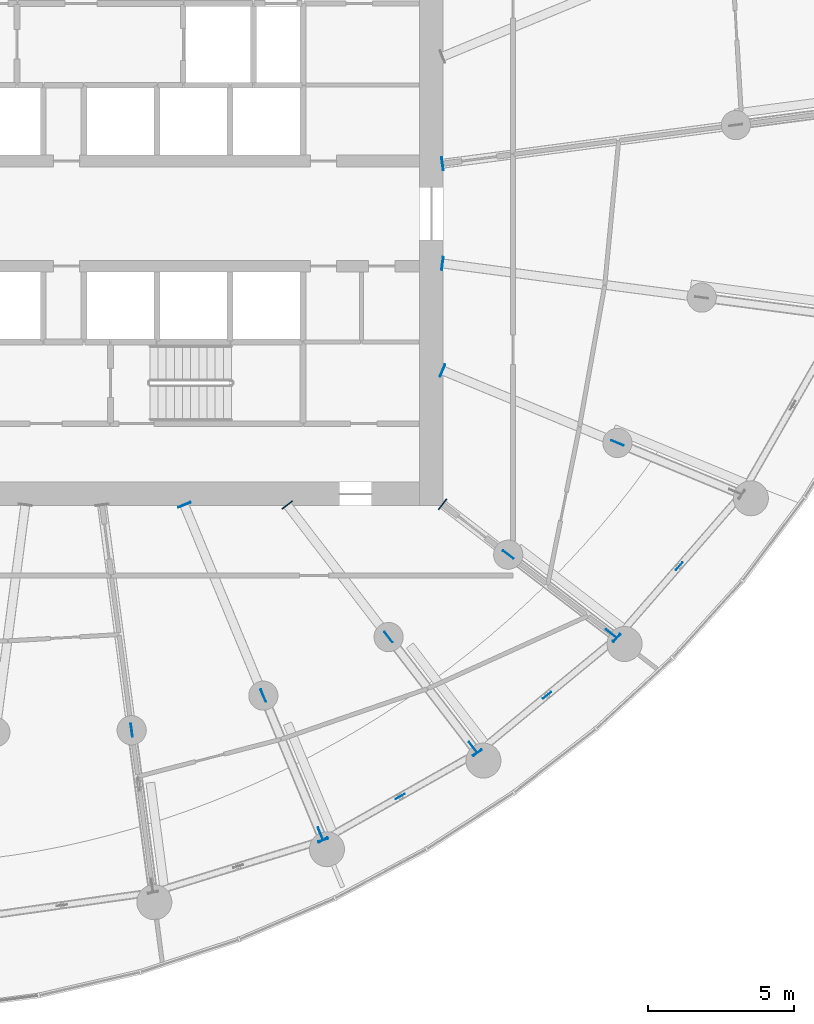
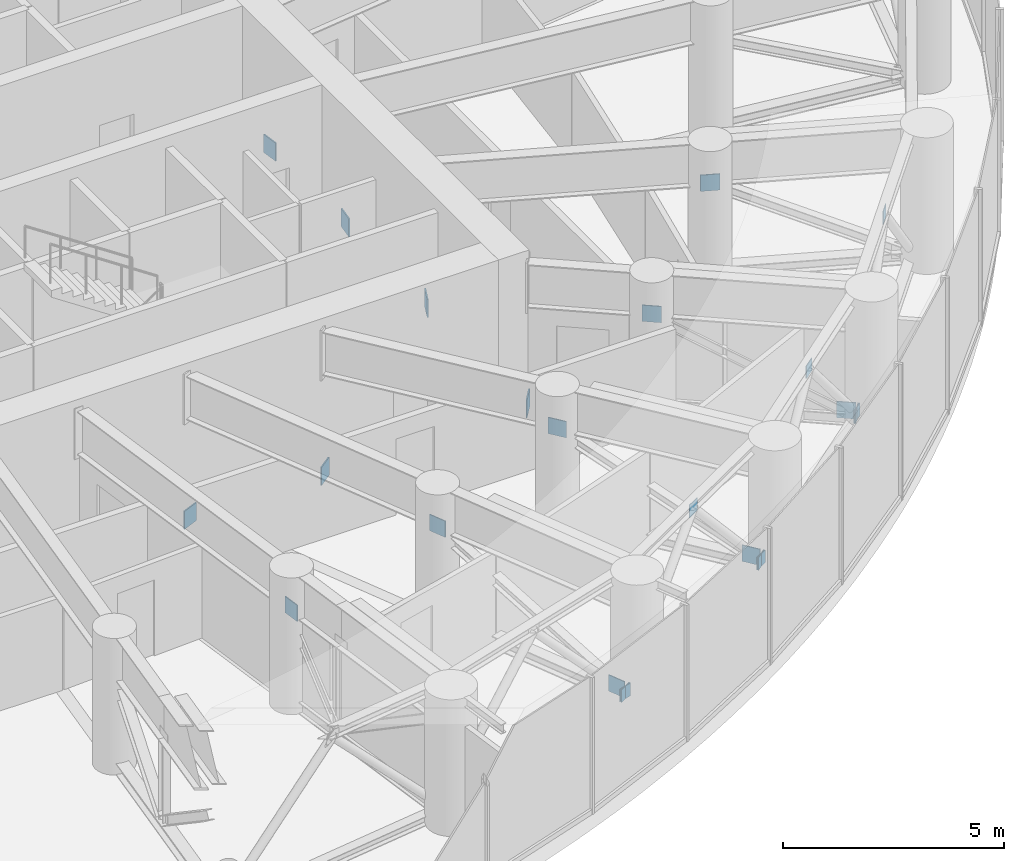
# One storey, part 25 of 33: 23 discrete accessories.
"""IFC4 building model written with IfcOpenShell, lengths in metres."""

from ifc_helpers import new_model, si_unit, direction, frame, origin, origin_2d, place, context, subcontext, project, spatial, rectangle, extrude, source, transform, mapped, material, layer, layer_set, type_object, element, save


model = new_model("IFC4")

# Units and contexts
model_context = context("Model", 3, precision=1e-05, world=origin(), true_north=direction((0.0, 1.0)))
body_context = subcontext(model_context, "Body", "Model", "MODEL_VIEW")
ifc_project = project(units=[si_unit("LENGTHUNIT", "METRE"), si_unit("AREAUNIT", "SQUARE_METRE"), si_unit("VOLUMEUNIT", "CUBIC_METRE"), si_unit("PLANEANGLEUNIT", "RADIAN"), si_unit("MASSUNIT", "GRAM", prefix="KILO")], contexts=[model_context])

# Site, building, storey
site_placement = place(None, origin())
site = spatial("IfcSite", under=ifc_project, at=site_placement, CompositionType="ELEMENT")
building_placement = place(site_placement, origin())
building = spatial("IfcBuilding", under=site, at=building_placement, Name="Spindrift Exchange Tower", CompositionType="ELEMENT")
storey_placement = place(building_placement, frame((0.0, 0.0, 129.0)))
storey = spatial("IfcBuildingStorey", under=building, at=storey_placement, Name="L30", CompositionType="ELEMENT", Elevation=129.0)

# Discrete accessories
ifc_material = material(Name="Steel Grade 350", Category="steel")
ifc_layer_1 = layer(ifc_material, 0.031982421875)
ifc_layer_set_1 = layer_set([ifc_layer_1], Name="Cast-in plate 450x500x32 Steel Grade 350")
discrete_accessory_type_1 = type_object("IfcDiscreteAccessoryType", Name="Cast-in plate 450x500x32 Steel Grade 350", PredefinedType="USERDEFINED", material=ifc_layer_set_1)
shared_shape_1 = source(origin(), body_context, "Body", "SweptSolid", [
    extrude(rectangle(XDim=0.031982421875, YDim=0.449951171875, at=origin_2d()), origin(), (0.0, 0.0, 1.0), 0.5),
])
for number, where, z_axis, x_axis, name in (
    (1, (64.980224609375, 49.708984375, -0.410400390625), (0.0, 0.0, 1.0), (0.991444861374, 0.13052619222, 0.0), "L30 cast-in plate CP2 01"),
    (2, (56.134521484375, 38.0185546875, -0.410400390625), (0.0, 0.0, 1.0), (0.382683432365, -0.923879532511, 0.0), "L30 cast-in plate CP2 20"),
    (3, (59.6611328125, 38.015869140625, -0.410400390625), (0.0, 0.0, 1.0), (0.608761429009, -0.793353340291, 0.0), "L30 cast-in plate CP2 21"),
    (4, (64.984130859375, 38.036865234375, -0.410400390625), (0.0, 0.0, 1.0), (0.793353340291, -0.608761429009, 0.0), "L30 cast-in plate CP2 22"),
    (5, (64.9814453125, 42.622802734375, -0.410400390625), (0.0, 0.0, 1.0), (0.923879532511, -0.382683432365, 0.0), "L30 cast-in plate CP2 23"),
    (6, (64.980224609375, 46.291015625, -0.410400390625), (0.0, 0.0, 1.0), (0.991444861374, -0.13052619222, 0.0), "L30 cast-in plate CP2 24"),
):
    element("IfcDiscreteAccessory", number, at=place(storey_placement, frame(where, z_axis=z_axis, x_axis=x_axis)), inside=storey, type_object=discrete_accessory_type_1, Name=name, ObjectType="Cast-in plate", PredefinedType="USERDEFINED", context=body_context, shape_type="MappedRepresentation", body=[
        mapped(shared_shape_1, transform((0.0, 0.0, 0.0), scale=1.0)),
    ])
ifc_layer_2 = layer(ifc_material, 0.02490234375)
ifc_layer_set_2 = layer_set([ifc_layer_2], Name="Gusset plate 450x450x25 Steel Grade 350")
discrete_accessory_type_2 = type_object("IfcDiscreteAccessoryType", Name="Gusset plate 450x450x25 Steel Grade 350", PredefinedType="USERDEFINED", material=ifc_layer_set_2)
shared_shape_2 = source(origin(), body_context, "Body", "SweptSolid", [
    extrude(rectangle(XDim=0.449951171875, YDim=0.02490234375, at=origin_2d()), origin(), (0.0, 0.0, 1.0), 0.449951171875),
])
for number, where, z_axis, x_axis, name in (
    (7, (54.330810546875, 30.296875, 2.35498046875), (0.0, 0.0, 1.0), (0.130522731424, -0.99144531699, 0.0), "L30 gusset plate GP1 19"),
    (8, (58.841796875, 31.482421875, 2.35498046875), (0.0, 0.0, 1.0), (0.382672145019, -0.923884207802, 0.0), "L30 gusset plate GP1 20"),
    (9, (60.7998046875, 26.75537109375, 0.09619140625), (0.0, 0.0, 1.0), (0.382672145019, -0.923884207802, 0.0), "L30 gusset plate GP1 20"),
    (10, (63.1337890625, 33.489990234375, 2.35498046875), (0.0, 0.0, 1.0), (0.608758659679, -0.793355465265, 0.0), "L30 gusset plate GP1 21"),
    (11, (66.02880859375, 29.717041015625, 0.09619140625), (0.0, 0.0, 1.0), (0.608758659679, -0.793355465265, 0.0), "L30 gusset plate GP1 21"),
    (12, (67.232421875, 36.311767578125, 2.35498046875), (0.0, 0.0, 1.0), (0.793352277801, -0.608762813671, 0.0), "L30 gusset plate GP1 22"),
    (13, (70.759765625, 33.605224609375, 0.09619140625), (0.0, 0.0, 1.0), (0.793352277801, -0.608762813671, 0.0), "L30 gusset plate GP1 22"),
    (14, (70.972412109375, 40.141357421875, 2.35498046875), (0.0, 0.0, 1.0), (0.923877528773, -0.382688269782, 0.0), "L30 gusset plate GP1 23"),
):
    element("IfcDiscreteAccessory", number, at=place(storey_placement, frame(where, z_axis=z_axis, x_axis=x_axis)), inside=storey, type_object=discrete_accessory_type_2, Name=name, ObjectType="Gusset plate", PredefinedType="USERDEFINED", context=body_context, shape_type="MappedRepresentation", body=[
        mapped(shared_shape_2, transform((0.0, 0.0, 0.0), scale=1.0)),
    ])
ifc_layer_3 = layer(ifc_material, 0.02001953125)
ifc_layer_set_3 = layer_set([ifc_layer_3], Name="Gusset plate 350x350x20 Steel Grade 350")
discrete_accessory_type_3 = type_object("IfcDiscreteAccessoryType", Name="Gusset plate 350x350x20 Steel Grade 350", PredefinedType="USERDEFINED", material=ifc_layer_set_3)
shared_shape_3 = source(origin(), body_context, "Body", "SweptSolid", [
    extrude(rectangle(XDim=0.35009765625, YDim=0.02001953125, at=origin_2d()), origin(), (0.0, 0.0, 1.0), 0.35009765625),
])
for number, where, z_axis, x_axis, name in (
    (15, (60.8916015625, 26.53369140625, 0.078857421875), (0.0, 0.0, 1.0), (0.955867397781, 0.29379843066, 0.0), "L30 gusset plate GP2 19"),
    (16, (60.8916015625, 26.53369140625, 0.078857421875), (0.0, 0.0, 1.0), (0.870073656611, 0.492921730168, 0.0), "L30 gusset plate GP2 20"),
    (17, (63.533447265625, 28.0302734375, 3.350830078125), (0.0, 0.0, 1.0), (0.870073656611, 0.492921730168, 0.0), "L30 gusset plate GP2 20"),
    (18, (66.175048828125, 29.526611328125, 0.078857421875), (0.0, 0.0, 1.0), (0.870079678721, 0.492911100176, 0.0), "L30 gusset plate GP2 20"),
    (19, (66.175048828125, 29.526611328125, 0.078857421875), (0.0, 0.0, 1.0), (0.771926461558, 0.635711835619, 0.0), "L30 gusset plate GP2 21"),
    (20, (68.5625, 31.492919921875, 3.350830078125), (0.0, 0.0, 1.0), (0.771926461558, 0.635711835619, 0.0), "L30 gusset plate GP2 21"),
    (21, (70.9501953125, 33.458984375, 0.078857421875), (0.0, 0.0, 1.0), (0.771939775706, 0.63569566829, 0.0), "L30 gusset plate GP2 21"),
    (22, (70.9501953125, 33.458984375, 0.078857421875), (0.0, 0.0, 1.0), (0.656856895211, 0.754015264576, 0.0), "L30 gusset plate GP2 22"),
    (23, (73.091796875, 35.917724609375, 3.350830078125), (0.0, 0.0, 1.0), (0.656856895211, 0.754015264576, 0.0), "L30 gusset plate GP2 22"),
):
    element("IfcDiscreteAccessory", number, at=place(storey_placement, frame(where, z_axis=z_axis, x_axis=x_axis)), inside=storey, type_object=discrete_accessory_type_3, Name=name, ObjectType="Gusset plate", PredefinedType="USERDEFINED", context=body_context, shape_type="MappedRepresentation", body=[
        mapped(shared_shape_3, transform((0.0, 0.0, 0.0), scale=1.0)),
    ])

save(model, "model.ifc")
